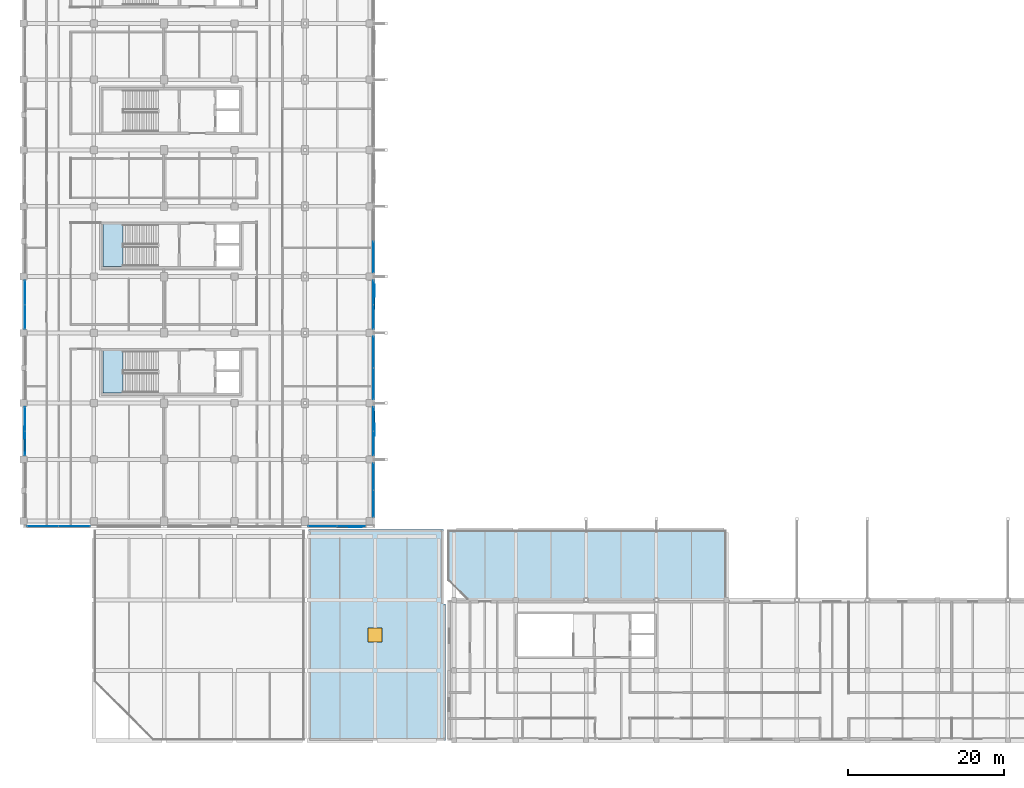
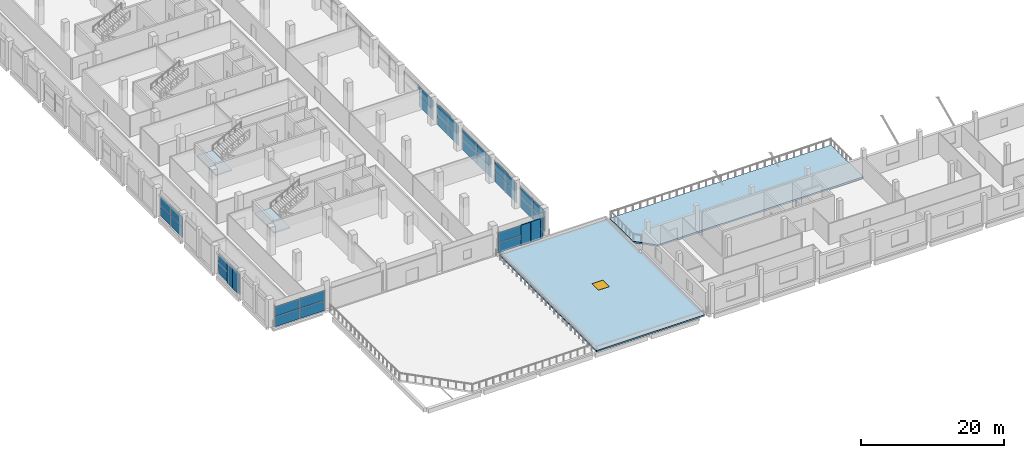
# One storey, part 36 of 82: 42 plates, 4 slabs, 1 window, 1 opening, 11 elements without a shape of their own.
"""IFC4 building model written with IfcOpenShell, lengths in metres."""

from ifc_helpers import new_model, si_unit, direction, frame, origin, origin_2d, place, context, subcontext, project, spatial, polyline, rectangle, outline, extrude, material, layer, layer_set, type_object, element, fill, aggregate, save


model = new_model("IFC4")

# Units and contexts
model_context = context("Model", 3, precision=1e-05, world=origin(), true_north=direction((0.0, 1.0)))
body_context = subcontext(model_context, "Body", "Model", "MODEL_VIEW")
ifc_project = project(units=[si_unit("LENGTHUNIT", "METRE"), si_unit("AREAUNIT", "SQUARE_METRE"), si_unit("VOLUMEUNIT", "CUBIC_METRE"), si_unit("PLANEANGLEUNIT", "RADIAN"), si_unit("MASSUNIT", "GRAM", prefix="KILO"), si_unit("THERMODYNAMICTEMPERATUREUNIT", "KELVIN"), si_unit("POWERUNIT", "WATT")], contexts=[model_context])

# Site, building, storey
site_placement = place(None, origin())
site = spatial("IfcSite", under=ifc_project, at=site_placement, CompositionType="ELEMENT")
building_placement = place(site_placement, origin())
building = spatial("IfcBuilding", under=site, at=building_placement, Name="Sindhuravela Promenade Stadium", CompositionType="ELEMENT")
storey_placement = place(building_placement, frame((0.0, 0.0, 14.39990234375)))
storey = spatial("IfcBuildingStorey", under=building, at=storey_placement, Name="L03", CompositionType="ELEMENT", Elevation=14.39990234375)

# Plates
ifc_material_1 = material(Name="Perforated terracotta celosia brick (15 MPa)", Category="masonry")
ifc_layer_1 = layer(ifc_material_1, 0.090087890625)
ifc_layer_set_1 = layer_set([ifc_layer_1], Name="Perforated terracotta celosia brick (15 MPa)")
plate_type_1 = type_object("IfcPlateType", Name="CL-SCR-01", PredefinedType="USERDEFINED", material=ifc_layer_set_1)
for number, where, z_axis, x_axis, name in (
    (1, (0.1201171875, 48.405029296875, 0.0), (0.0, 0.0, 1.0), (0.0, 1.0, 0.0), "Perforated brick celosia screen WEST L03-28"),
    (2, (44.8798828125, 48.794921875, 0.0), (0.0, 0.0, 1.0), (0.0, -1.0, 0.0), "Perforated brick celosia screen WEST L03-44"),
):
    element("IfcPlate", number, at=place(storey_placement, frame(where, z_axis=z_axis, x_axis=x_axis)), inside=storey, type_object=plate_type_1, Name=name, ObjectType="SCREEN PANEL", PredefinedType="USERDEFINED", context=body_context, shape_type="SweptSolid", body=[
        extrude(rectangle(XDim=1.56005859375, YDim=0.090087890625, at=origin_2d()), origin(), (0.0, 0.0, 1.0), 3.580078125),
    ])
ifc_layer_2 = layer(ifc_material_1, 0.114990234375)
ifc_layer_set_2 = layer_set([ifc_layer_2], Name="Perforated terracotta celosia brick (15 MPa)")
plate_type_2 = type_object("IfcPlateType", Name="CL-SCR-02", PredefinedType="USERDEFINED", material=ifc_layer_set_2)
for number, where, z_axis, x_axis, name in (
    (3, (44.8798828125, 66.594970703125, 0.0), (0.0, 0.0, 1.0), (0.0, -1.0, 0.0), "Perforated brick celosia screen WEST L03-41"),
    (4, (42.4951171875, 36.3701171875, 0.0), (0.0, 0.0, 1.0), (-1.0, 0.0, 0.0), "Perforated brick celosia screen WEST L03-45"),
):
    element("IfcPlate", number, at=place(storey_placement, frame(where, z_axis=z_axis, x_axis=x_axis)), inside=storey, type_object=plate_type_2, Name=name, ObjectType="SCREEN PANEL", PredefinedType="USERDEFINED", context=body_context, shape_type="SweptSolid", body=[
        extrude(rectangle(XDim=1.56005859375, YDim=0.114990234375, at=origin_2d()), origin(), (0.0, 0.0, 1.0), 3.580078125),
    ])
ifc_layer_3 = layer(ifc_material_1, 0.139892578125)
ifc_layer_set_3 = layer_set([ifc_layer_3], Name="Perforated terracotta celosia brick (15 MPa)")
plate_type_3 = type_object("IfcPlateType", Name="CL-SCR-03", PredefinedType="USERDEFINED", material=ifc_layer_set_3)
for number, where, z_axis, x_axis, name in (
    (5, (44.8798828125, 64.9951171875, 0.0), (0.0, 0.0, 1.0), (0.0, -1.0, 0.0), "Perforated brick celosia screen WEST L03-42"),
    (6, (40.89501953125, 36.3701171875, 0.0), (0.0, 0.0, 1.0), (-1.0, 0.0, 0.0), "Perforated brick celosia screen WEST L03-46"),
):
    element("IfcPlate", number, at=place(storey_placement, frame(where, z_axis=z_axis, x_axis=x_axis)), inside=storey, type_object=plate_type_3, Name=name, ObjectType="SCREEN PANEL", PredefinedType="USERDEFINED", context=body_context, shape_type="SweptSolid", body=[
        extrude(rectangle(XDim=1.56005859375, YDim=0.139892578125, at=origin_2d()), origin(), (0.0, 0.0, 1.0), 3.580078125),
    ])
ifc_layer_4 = layer(ifc_material_1, 0.1650390625)
ifc_layer_set_4 = layer_set([ifc_layer_4], Name="Perforated terracotta celosia brick (15 MPa)")
plate_type_4 = type_object("IfcPlateType", Name="CL-SCR-04", PredefinedType="USERDEFINED", material=ifc_layer_set_4)
for number, where, z_axis, x_axis, name in (
    (7, (0.1201171875, 46.804931640625, 0.0), (0.0, 0.0, 1.0), (0.0, 1.0, 0.0), "Perforated brick celosia screen WEST L03-27"),
    (8, (44.8798828125, 50.39501953125, 0.0), (0.0, 0.0, 1.0), (0.0, -1.0, 0.0), "Perforated brick celosia screen WEST L03-43"),
):
    element("IfcPlate", number, at=place(storey_placement, frame(where, z_axis=z_axis, x_axis=x_axis)), inside=storey, type_object=plate_type_4, Name=name, ObjectType="SCREEN PANEL", PredefinedType="USERDEFINED", context=body_context, shape_type="SweptSolid", body=[
        extrude(rectangle(XDim=1.56005859375, YDim=0.1650390625, at=origin_2d()), origin(), (0.0, 0.0, 1.0), 3.580078125),
    ])

# Curtain wall, plates
ifc_material_2 = material(Name="Anodised architectural aluminium 6063-T6", Category="aluminium")
curtain_wall_type_1 = type_object("IfcCurtainWallType", Name="CW-MOD-5", PredefinedType="NOTDEFINED", material=ifc_material_2)
curtain_wall_1_placement = place(storey_placement, origin())
curtain_wall_1 = element("IfcCurtainWall", 9, at=curtain_wall_1_placement, inside=storey, type_object=curtain_wall_type_1, Name="Bronze curtain wall CW-WEST-L03-028", PredefinedType="NOTDEFINED")
ifc_material_3 = material(Name="Tempered laminated low-E glass", Category="glass")
ifc_layer_5 = layer(ifc_material_3, 0.028076171875)
ifc_layer_set_5 = layer_set([ifc_layer_5], Name="Tempered laminated low-E glass")
plate_type_5 = type_object("IfcPlateType", Name="CW-PNL-01", PredefinedType="CURTAIN_PANEL", material=ifc_layer_set_5)
plate_1_placement = place(storey_placement, frame((0.199951171875, 47.050048828125, 0.01513671875), z_axis=(0.0, 0.0, 1.0), x_axis=(0.0, 1.0, 0.0)))
plate_1 = element("IfcPlate", 10, at=plate_1_placement, type_object=plate_type_5, Name="Glazed curtain panel CW-WEST-L03-028-P1.1", PredefinedType="CURTAIN_PANEL", context=body_context, shape_type="SweptSolid", body=[
    extrude(rectangle(XDim=3.0400390625, YDim=0.028076171875, at=origin_2d()), origin(), (0.0, 0.0, 1.0), 1.760009765625),
])
plate_2_placement = place(storey_placement, frame((0.199951171875, 47.050048828125, 1.80517578125), z_axis=(0.0, 0.0, 1.0), x_axis=(0.0, 1.0, 0.0)))
plate_2 = element("IfcPlate", 11, at=plate_2_placement, type_object=plate_type_5, Name="Glazed curtain panel CW-WEST-L03-028-P1.2", PredefinedType="CURTAIN_PANEL", context=body_context, shape_type="SweptSolid", body=[
    extrude(rectangle(XDim=3.0400390625, YDim=0.028076171875, at=origin_2d()), origin(), (0.0, 0.0, 1.0), 1.679931640625),
])
plate_3_placement = place(storey_placement, frame((0.199951171875, 50.14990234375, 0.01513671875), z_axis=(0.0, 0.0, 1.0), x_axis=(0.0, 1.0, 0.0)))
plate_3 = element("IfcPlate", 12, at=plate_3_placement, type_object=plate_type_5, Name="Glazed curtain panel CW-WEST-L03-028-P2.1", PredefinedType="CURTAIN_PANEL", context=body_context, shape_type="SweptSolid", body=[
    extrude(rectangle(XDim=3.0400390625, YDim=0.028076171875, at=origin_2d()), origin(), (0.0, 0.0, 1.0), 1.760009765625),
])
plate_4_placement = place(storey_placement, frame((0.199951171875, 50.14990234375, 1.80517578125), z_axis=(0.0, 0.0, 1.0), x_axis=(0.0, 1.0, 0.0)))
plate_4 = element("IfcPlate", 13, at=plate_4_placement, type_object=plate_type_5, Name="Glazed curtain panel CW-WEST-L03-028-P2.2", PredefinedType="CURTAIN_PANEL", context=body_context, shape_type="SweptSolid", body=[
    extrude(rectangle(XDim=3.0400390625, YDim=0.028076171875, at=origin_2d()), origin(), (0.0, 0.0, 1.0), 1.679931640625),
])
aggregate(curtain_wall_1, [plate_1, plate_2, plate_3, plate_4])

curtain_wall_type_2 = type_object("IfcCurtainWallType", Name="CW-MOD-3", PredefinedType="NOTDEFINED", material=ifc_material_2)
curtain_wall_2_placement = place(storey_placement, origin())
curtain_wall_2 = element("IfcCurtainWall", 14, at=curtain_wall_2_placement, inside=storey, type_object=curtain_wall_type_2, Name="Bronze curtain wall CW-WEST-L03-042", PredefinedType="NOTDEFINED")
plate_5_placement = place(storey_placement, frame((44.800048828125, 66.35009765625, 0.01513671875), z_axis=(0.0, 0.0, 1.0), x_axis=(0.0, -1.0, 0.0)))
plate_5 = element("IfcPlate", 15, at=plate_5_placement, type_object=plate_type_5, Name="Glazed curtain panel CW-WEST-L03-042-P1.1", PredefinedType="CURTAIN_PANEL", context=body_context, shape_type="SweptSolid", body=[
    extrude(rectangle(XDim=3.0400390625, YDim=0.028076171875, at=origin_2d()), origin(), (0.0, 0.0, 1.0), 1.760009765625),
])
plate_6_placement = place(storey_placement, frame((44.800048828125, 66.35009765625, 1.80517578125), z_axis=(0.0, 0.0, 1.0), x_axis=(0.0, -1.0, 0.0)))
plate_6 = element("IfcPlate", 16, at=plate_6_placement, type_object=plate_type_5, Name="Glazed curtain panel CW-WEST-L03-042-P1.2", PredefinedType="CURTAIN_PANEL", context=body_context, shape_type="SweptSolid", body=[
    extrude(rectangle(XDim=3.0400390625, YDim=0.028076171875, at=origin_2d()), origin(), (0.0, 0.0, 1.0), 1.679931640625),
])
plate_7_placement = place(storey_placement, frame((44.800048828125, 63.25, 0.01513671875), z_axis=(0.0, 0.0, 1.0), x_axis=(0.0, -1.0, 0.0)))
plate_7 = element("IfcPlate", 17, at=plate_7_placement, type_object=plate_type_5, Name="Glazed curtain panel CW-WEST-L03-042-P2.1", PredefinedType="CURTAIN_PANEL", context=body_context, shape_type="SweptSolid", body=[
    extrude(rectangle(XDim=3.0400390625, YDim=0.028076171875, at=origin_2d()), origin(), (0.0, 0.0, 1.0), 1.760009765625),
])
plate_8_placement = place(storey_placement, frame((44.800048828125, 63.25, 1.80517578125), z_axis=(0.0, 0.0, 1.0), x_axis=(0.0, -1.0, 0.0)))
plate_8 = element("IfcPlate", 18, at=plate_8_placement, type_object=plate_type_5, Name="Glazed curtain panel CW-WEST-L03-042-P2.2", PredefinedType="CURTAIN_PANEL", context=body_context, shape_type="SweptSolid", body=[
    extrude(rectangle(XDim=3.0400390625, YDim=0.028076171875, at=origin_2d()), origin(), (0.0, 0.0, 1.0), 1.679931640625),
])
aggregate(curtain_wall_2, [plate_5, plate_6, plate_7, plate_8])

curtain_wall_3_placement = place(storey_placement, origin())
curtain_wall_3 = element("IfcCurtainWall", 19, at=curtain_wall_3_placement, inside=storey, type_object=curtain_wall_type_1, Name="Bronze curtain wall CW-WEST-L03-044", PredefinedType="NOTDEFINED")
plate_9_placement = place(storey_placement, frame((44.800048828125, 50.14990234375, 0.01513671875), z_axis=(0.0, 0.0, 1.0), x_axis=(0.0, -1.0, 0.0)))
plate_9 = element("IfcPlate", 20, at=plate_9_placement, type_object=plate_type_5, Name="Glazed curtain panel CW-WEST-L03-044-P1.1", PredefinedType="CURTAIN_PANEL", context=body_context, shape_type="SweptSolid", body=[
    extrude(rectangle(XDim=3.0400390625, YDim=0.028076171875, at=origin_2d()), origin(), (0.0, 0.0, 1.0), 1.760009765625),
])
plate_10_placement = place(storey_placement, frame((44.800048828125, 50.14990234375, 1.80517578125), z_axis=(0.0, 0.0, 1.0), x_axis=(0.0, -1.0, 0.0)))
plate_10 = element("IfcPlate", 21, at=plate_10_placement, type_object=plate_type_5, Name="Glazed curtain panel CW-WEST-L03-044-P1.2", PredefinedType="CURTAIN_PANEL", context=body_context, shape_type="SweptSolid", body=[
    extrude(rectangle(XDim=3.0400390625, YDim=0.028076171875, at=origin_2d()), origin(), (0.0, 0.0, 1.0), 1.679931640625),
])
plate_11_placement = place(storey_placement, frame((44.800048828125, 47.050048828125, 0.01513671875), z_axis=(0.0, 0.0, 1.0), x_axis=(0.0, -1.0, 0.0)))
plate_11 = element("IfcPlate", 22, at=plate_11_placement, type_object=plate_type_5, Name="Glazed curtain panel CW-WEST-L03-044-P2.1", PredefinedType="CURTAIN_PANEL", context=body_context, shape_type="SweptSolid", body=[
    extrude(rectangle(XDim=3.0400390625, YDim=0.028076171875, at=origin_2d()), origin(), (0.0, 0.0, 1.0), 1.760009765625),
])
plate_12_placement = place(storey_placement, frame((44.800048828125, 47.050048828125, 1.80517578125), z_axis=(0.0, 0.0, 1.0), x_axis=(0.0, -1.0, 0.0)))
plate_12 = element("IfcPlate", 23, at=plate_12_placement, type_object=plate_type_5, Name="Glazed curtain panel CW-WEST-L03-044-P2.2", PredefinedType="CURTAIN_PANEL", context=body_context, shape_type="SweptSolid", body=[
    extrude(rectangle(XDim=3.0400390625, YDim=0.028076171875, at=origin_2d()), origin(), (0.0, 0.0, 1.0), 1.679931640625),
])
aggregate(curtain_wall_3, [plate_9, plate_10, plate_11, plate_12])

curtain_wall_type_3 = type_object("IfcCurtainWallType", Name="CW-MOD-7", PredefinedType="NOTDEFINED", material=ifc_material_2)
curtain_wall_4_placement = place(storey_placement, origin())
curtain_wall_4 = element("IfcCurtainWall", 24, at=curtain_wall_4_placement, inside=storey, type_object=curtain_wall_type_3, Name="Bronze curtain wall CW-WEST-L03-046", PredefinedType="NOTDEFINED")
plate_13_placement = place(storey_placement, frame((41.97509765625, 36.449951171875, 0.01513671875), z_axis=(0.0, 0.0, 1.0), x_axis=(-1.0, 0.0, 0.0)))
plate_13 = element("IfcPlate", 25, at=plate_13_placement, type_object=plate_type_5, Name="Glazed curtain panel CW-WEST-L03-046-P1.1", PredefinedType="CURTAIN_PANEL", context=body_context, shape_type="SweptSolid", body=[
    extrude(rectangle(XDim=3.590087890625, YDim=0.028076171875, at=origin_2d()), origin(), (0.0, 0.0, 1.0), 1.760009765625),
])
plate_14_placement = place(storey_placement, frame((41.97509765625, 36.449951171875, 1.80517578125), z_axis=(0.0, 0.0, 1.0), x_axis=(-1.0, 0.0, 0.0)))
plate_14 = element("IfcPlate", 26, at=plate_14_placement, type_object=plate_type_5, Name="Glazed curtain panel CW-WEST-L03-046-P1.2", PredefinedType="CURTAIN_PANEL", context=body_context, shape_type="SweptSolid", body=[
    extrude(rectangle(XDim=3.590087890625, YDim=0.028076171875, at=origin_2d()), origin(), (0.0, 0.0, 1.0), 1.679931640625),
])
plate_15_placement = place(storey_placement, frame((38.324951171875, 36.449951171875, 0.01513671875), z_axis=(0.0, 0.0, 1.0), x_axis=(-1.0, 0.0, 0.0)))
plate_15 = element("IfcPlate", 27, at=plate_15_placement, type_object=plate_type_5, Name="Glazed curtain panel CW-WEST-L03-046-P2.1", PredefinedType="CURTAIN_PANEL", context=body_context, shape_type="SweptSolid", body=[
    extrude(rectangle(XDim=3.590087890625, YDim=0.028076171875, at=origin_2d()), origin(), (0.0, 0.0, 1.0), 1.760009765625),
])
plate_16_placement = place(storey_placement, frame((38.324951171875, 36.449951171875, 1.80517578125), z_axis=(0.0, 0.0, 1.0), x_axis=(-1.0, 0.0, 0.0)))
plate_16 = element("IfcPlate", 28, at=plate_16_placement, type_object=plate_type_5, Name="Glazed curtain panel CW-WEST-L03-046-P2.2", PredefinedType="CURTAIN_PANEL", context=body_context, shape_type="SweptSolid", body=[
    extrude(rectangle(XDim=3.590087890625, YDim=0.028076171875, at=origin_2d()), origin(), (0.0, 0.0, 1.0), 1.679931640625),
])
aggregate(curtain_wall_4, [plate_13, plate_14, plate_15, plate_16])

curtain_wall_type_4 = type_object("IfcCurtainWallType", Name="CW-MOD-6", PredefinedType="NOTDEFINED", material=ifc_material_2)
curtain_wall_5_placement = place(storey_placement, origin())
curtain_wall_5 = element("IfcCurtainWall", 29, at=curtain_wall_5_placement, inside=storey, type_object=curtain_wall_type_4, Name="Bronze curtain wall CW-WEST-L03-029", PredefinedType="NOTDEFINED")
ifc_layer_6 = layer(ifc_material_3, 0.0400390625)
ifc_layer_set_6 = layer_set([ifc_layer_6], Name="Tempered laminated low-E glass")
plate_type_6 = type_object("IfcPlateType", Name="CW-PNL-02", PredefinedType="CURTAIN_PANEL", material=ifc_layer_set_6)
plate_17_placement = place(storey_placement, frame((0.199951171875, 63.25, 0.01513671875), z_axis=(0.0, 0.0, 1.0), x_axis=(0.0, 1.0, 0.0)))
plate_17 = element("IfcPlate", 30, at=plate_17_placement, type_object=plate_type_6, Name="Glazed curtain panel CW-WEST-L03-029-P1.1", PredefinedType="CURTAIN_PANEL", context=body_context, shape_type="SweptSolid", body=[
    extrude(rectangle(XDim=3.0400390625, YDim=0.0400390625, at=origin_2d()), origin(), (0.0, 0.0, 1.0), 1.760009765625),
])
plate_18_placement = place(storey_placement, frame((0.199951171875, 63.25, 1.80517578125), z_axis=(0.0, 0.0, 1.0), x_axis=(0.0, 1.0, 0.0)))
plate_18 = element("IfcPlate", 31, at=plate_18_placement, type_object=plate_type_6, Name="Glazed curtain panel CW-WEST-L03-029-P1.2", PredefinedType="CURTAIN_PANEL", context=body_context, shape_type="SweptSolid", body=[
    extrude(rectangle(XDim=3.0400390625, YDim=0.0400390625, at=origin_2d()), origin(), (0.0, 0.0, 1.0), 1.679931640625),
])
plate_19_placement = place(storey_placement, frame((0.199951171875, 66.35009765625, 0.01513671875), z_axis=(0.0, 0.0, 1.0), x_axis=(0.0, 1.0, 0.0)))
plate_19 = element("IfcPlate", 32, at=plate_19_placement, type_object=plate_type_6, Name="Glazed curtain panel CW-WEST-L03-029-P2.1", PredefinedType="CURTAIN_PANEL", context=body_context, shape_type="SweptSolid", body=[
    extrude(rectangle(XDim=3.0400390625, YDim=0.0400390625, at=origin_2d()), origin(), (0.0, 0.0, 1.0), 1.760009765625),
])
plate_20_placement = place(storey_placement, frame((0.199951171875, 66.35009765625, 1.80517578125), z_axis=(0.0, 0.0, 1.0), x_axis=(0.0, 1.0, 0.0)))
plate_20 = element("IfcPlate", 33, at=plate_20_placement, type_object=plate_type_6, Name="Glazed curtain panel CW-WEST-L03-029-P2.2", PredefinedType="CURTAIN_PANEL", context=body_context, shape_type="SweptSolid", body=[
    extrude(rectangle(XDim=3.0400390625, YDim=0.0400390625, at=origin_2d()), origin(), (0.0, 0.0, 1.0), 1.679931640625),
])
aggregate(curtain_wall_5, [plate_17, plate_18, plate_19, plate_20])

curtain_wall_type_5 = type_object("IfcCurtainWallType", Name="CW-MOD-2", PredefinedType="NOTDEFINED", material=ifc_material_2)
curtain_wall_6_placement = place(storey_placement, origin())
curtain_wall_6 = element("IfcCurtainWall", 34, at=curtain_wall_6_placement, inside=storey, type_object=curtain_wall_type_5, Name="Bronze curtain wall CW-WEST-L03-041", PredefinedType="NOTDEFINED")
plate_21_placement = place(storey_placement, frame((44.800048828125, 70.89990234375, 0.01513671875), z_axis=(0.0, 0.0, 1.0), x_axis=(0.0, -1.0, 0.0)))
plate_21 = element("IfcPlate", 35, at=plate_21_placement, type_object=plate_type_6, Name="Glazed curtain panel CW-WEST-L03-041-P2.1", PredefinedType="CURTAIN_PANEL", context=body_context, shape_type="SweptSolid", body=[
    extrude(rectangle(XDim=3.93994140625, YDim=0.0400390625, at=origin_2d()), origin(), (0.0, 0.0, 1.0), 1.760009765625),
])
plate_22_placement = place(storey_placement, frame((44.800048828125, 70.89990234375, 1.80517578125), z_axis=(0.0, 0.0, 1.0), x_axis=(0.0, -1.0, 0.0)))
plate_22 = element("IfcPlate", 36, at=plate_22_placement, type_object=plate_type_6, Name="Glazed curtain panel CW-WEST-L03-041-P2.2", PredefinedType="CURTAIN_PANEL", context=body_context, shape_type="SweptSolid", body=[
    extrude(rectangle(XDim=3.93994140625, YDim=0.0400390625, at=origin_2d()), origin(), (0.0, 0.0, 1.0), 1.679931640625),
])
aggregate(curtain_wall_6, [plate_21, plate_22])

curtain_wall_type_6 = type_object("IfcCurtainWallType", Name="CW-MOD-4", PredefinedType="NOTDEFINED", material=ifc_material_2)
curtain_wall_7_placement = place(storey_placement, origin())
curtain_wall_7 = element("IfcCurtainWall", 37, at=curtain_wall_7_placement, inside=storey, type_object=curtain_wall_type_6, Name="Bronze curtain wall CW-WEST-L03-043", PredefinedType="NOTDEFINED")
plate_23_placement = place(storey_placement, frame((44.800048828125, 58.699951171875, 0.01513671875), z_axis=(0.0, 0.0, 1.0), x_axis=(0.0, -1.0, 0.0)))
plate_23 = element("IfcPlate", 38, at=plate_23_placement, type_object=plate_type_6, Name="Glazed curtain panel CW-WEST-L03-043-P1.1", PredefinedType="CURTAIN_PANEL", context=body_context, shape_type="SweptSolid", body=[
    extrude(rectangle(XDim=3.93994140625, YDim=0.0400390625, at=origin_2d()), origin(), (0.0, 0.0, 1.0), 1.760009765625),
])
plate_24_placement = place(storey_placement, frame((44.800048828125, 58.699951171875, 1.80517578125), z_axis=(0.0, 0.0, 1.0), x_axis=(0.0, -1.0, 0.0)))
plate_24 = element("IfcPlate", 39, at=plate_24_placement, type_object=plate_type_6, Name="Glazed curtain panel CW-WEST-L03-043-P1.2", PredefinedType="CURTAIN_PANEL", context=body_context, shape_type="SweptSolid", body=[
    extrude(rectangle(XDim=3.93994140625, YDim=0.0400390625, at=origin_2d()), origin(), (0.0, 0.0, 1.0), 1.679931640625),
])
plate_25_placement = place(storey_placement, frame((44.800048828125, 54.699951171875, 0.01513671875), z_axis=(0.0, 0.0, 1.0), x_axis=(0.0, -1.0, 0.0)))
plate_25 = element("IfcPlate", 40, at=plate_25_placement, type_object=plate_type_6, Name="Glazed curtain panel CW-WEST-L03-043-P2.1", PredefinedType="CURTAIN_PANEL", context=body_context, shape_type="SweptSolid", body=[
    extrude(rectangle(XDim=3.93994140625, YDim=0.0400390625, at=origin_2d()), origin(), (0.0, 0.0, 1.0), 1.760009765625),
])
plate_26_placement = place(storey_placement, frame((44.800048828125, 54.699951171875, 1.80517578125), z_axis=(0.0, 0.0, 1.0), x_axis=(0.0, -1.0, 0.0)))
plate_26 = element("IfcPlate", 41, at=plate_26_placement, type_object=plate_type_6, Name="Glazed curtain panel CW-WEST-L03-043-P2.2", PredefinedType="CURTAIN_PANEL", context=body_context, shape_type="SweptSolid", body=[
    extrude(rectangle(XDim=3.93994140625, YDim=0.0400390625, at=origin_2d()), origin(), (0.0, 0.0, 1.0), 1.679931640625),
])
aggregate(curtain_wall_7, [plate_23, plate_24, plate_25, plate_26])

curtain_wall_8_placement = place(storey_placement, origin())
curtain_wall_8 = element("IfcCurtainWall", 42, at=curtain_wall_8_placement, inside=storey, type_object=curtain_wall_type_4, Name="Bronze curtain wall CW-WEST-L03-045", PredefinedType="NOTDEFINED")
plate_27_placement = place(storey_placement, frame((44.800048828125, 42.77490234375, 0.01513671875), z_axis=(0.0, 0.0, 1.0), x_axis=(0.0, -1.0, 0.0)))
plate_27 = element("IfcPlate", 43, at=plate_27_placement, type_object=plate_type_6, Name="Glazed curtain panel CW-WEST-L03-045-P1.1", PredefinedType="CURTAIN_PANEL", context=body_context, shape_type="SweptSolid", body=[
    extrude(rectangle(XDim=3.389892578125, YDim=0.0400390625, at=origin_2d()), origin(), (0.0, 0.0, 1.0), 1.760009765625),
])
plate_28_placement = place(storey_placement, frame((44.800048828125, 42.77490234375, 1.80517578125), z_axis=(0.0, 0.0, 1.0), x_axis=(0.0, -1.0, 0.0)))
plate_28 = element("IfcPlate", 44, at=plate_28_placement, type_object=plate_type_6, Name="Glazed curtain panel CW-WEST-L03-045-P1.2", PredefinedType="CURTAIN_PANEL", context=body_context, shape_type="SweptSolid", body=[
    extrude(rectangle(XDim=3.389892578125, YDim=0.0400390625, at=origin_2d()), origin(), (0.0, 0.0, 1.0), 1.679931640625),
])
plate_29_placement = place(storey_placement, frame((44.800048828125, 39.324951171875, 0.01513671875), z_axis=(0.0, 0.0, 1.0), x_axis=(0.0, -1.0, 0.0)))
plate_29 = element("IfcPlate", 45, at=plate_29_placement, type_object=plate_type_6, Name="Glazed curtain panel CW-WEST-L03-045-P2.1", PredefinedType="CURTAIN_PANEL", context=body_context, shape_type="SweptSolid", body=[
    extrude(rectangle(XDim=3.389892578125, YDim=0.0400390625, at=origin_2d()), origin(), (0.0, 0.0, 1.0), 1.760009765625),
])
plate_30_placement = place(storey_placement, frame((44.800048828125, 39.324951171875, 1.80517578125), z_axis=(0.0, 0.0, 1.0), x_axis=(0.0, -1.0, 0.0)))
plate_30 = element("IfcPlate", 46, at=plate_30_placement, type_object=plate_type_6, Name="Glazed curtain panel CW-WEST-L03-045-P2.2", PredefinedType="CURTAIN_PANEL", context=body_context, shape_type="SweptSolid", body=[
    extrude(rectangle(XDim=3.389892578125, YDim=0.0400390625, at=origin_2d()), origin(), (0.0, 0.0, 1.0), 1.679931640625),
])
aggregate(curtain_wall_8, [plate_27, plate_28, plate_29, plate_30])

curtain_wall_type_7 = type_object("IfcCurtainWallType", Name="CW-MOD-8", PredefinedType="NOTDEFINED", material=ifc_material_2)
curtain_wall_9_placement = place(storey_placement, origin())
curtain_wall_9 = element("IfcCurtainWall", 47, at=curtain_wall_9_placement, inside=storey, type_object=curtain_wall_type_7, Name="Bronze curtain wall CW-WEST-L03-047", PredefinedType="NOTDEFINED")
plate_31_placement = place(storey_placement, frame((6.5, 36.449951171875, 0.01513671875), z_axis=(0.0, 0.0, 1.0), x_axis=(-1.0, 0.0, 0.0)))
plate_31 = element("IfcPlate", 48, at=plate_31_placement, type_object=plate_type_6, Name="Glazed curtain panel CW-WEST-L03-047-P1.1", PredefinedType="CURTAIN_PANEL", context=body_context, shape_type="SweptSolid", body=[
    extrude(rectangle(XDim=3.93994140625, YDim=0.0400390625, at=origin_2d()), origin(), (0.0, 0.0, 1.0), 1.760009765625),
])
plate_32_placement = place(storey_placement, frame((6.5, 36.449951171875, 1.80517578125), z_axis=(0.0, 0.0, 1.0), x_axis=(-1.0, 0.0, 0.0)))
plate_32 = element("IfcPlate", 49, at=plate_32_placement, type_object=plate_type_6, Name="Glazed curtain panel CW-WEST-L03-047-P1.2", PredefinedType="CURTAIN_PANEL", context=body_context, shape_type="SweptSolid", body=[
    extrude(rectangle(XDim=3.93994140625, YDim=0.0400390625, at=origin_2d()), origin(), (0.0, 0.0, 1.0), 1.679931640625),
])
plate_33_placement = place(storey_placement, frame((2.5, 36.449951171875, 0.01513671875), z_axis=(0.0, 0.0, 1.0), x_axis=(-1.0, 0.0, 0.0)))
plate_33 = element("IfcPlate", 50, at=plate_33_placement, type_object=plate_type_6, Name="Glazed curtain panel CW-WEST-L03-047-P2.1", PredefinedType="CURTAIN_PANEL", context=body_context, shape_type="SweptSolid", body=[
    extrude(rectangle(XDim=3.93994140625, YDim=0.0400390625, at=origin_2d()), origin(), (0.0, 0.0, 1.0), 1.760009765625),
])
plate_34_placement = place(storey_placement, frame((2.5, 36.449951171875, 1.80517578125), z_axis=(0.0, 0.0, 1.0), x_axis=(-1.0, 0.0, 0.0)))
plate_34 = element("IfcPlate", 51, at=plate_34_placement, type_object=plate_type_6, Name="Glazed curtain panel CW-WEST-L03-047-P2.2", PredefinedType="CURTAIN_PANEL", context=body_context, shape_type="SweptSolid", body=[
    extrude(rectangle(XDim=3.93994140625, YDim=0.0400390625, at=origin_2d()), origin(), (0.0, 0.0, 1.0), 1.679931640625),
])
aggregate(curtain_wall_9, [plate_31, plate_32, plate_33, plate_34])

# Stair, slab
ifc_material_4 = material(Name="Concrete M40", Category="concrete")
stair_type = type_object("IfcStairType", Name="ST-CORE-DOGLEG", PredefinedType="HALF_TURN_STAIR", material=ifc_material_4)
stair_1_placement = place(storey_placement, origin())
stair_1 = element("IfcStair", 52, at=stair_1_placement, inside=storey, type_object=stair_type, Name="Protected escape stair ST01 (L03)", PredefinedType="HALF_TURN_STAIR")
ifc_layer_7 = layer(ifc_material_4, 0.219970703125)
ifc_layer_set_7 = layer_set([ifc_layer_7], Name="Concrete M40")
slab_type_1 = type_object("IfcSlabType", Name="SL-LND-220", PredefinedType="LANDING", material=ifc_layer_set_7)
slab_1_placement = place(storey_placement, frame((0.0, 0.0, 2.18017578125)))
slab_1 = element("IfcSlab", 53, at=slab_1_placement, type_object=slab_type_1, Name="Stair ST01 half-landing (L03)", PredefinedType="LANDING", context=body_context, shape_type="SweptSolid", body=[
    extrude(outline(polyline([(10.179931640625, 53.47998046875), (12.751953125, 53.47998046875), (12.751953125, 58.919921875), (10.179931640625, 58.919921875), (10.179931640625, 53.47998046875)])), origin(), (0.0, 0.0, 1.0), 0.219970703125),
])
aggregate(stair_1, [slab_1])

stair_2_placement = place(storey_placement, origin())
stair_2 = element("IfcStair", 54, at=stair_2_placement, inside=storey, type_object=stair_type, Name="Protected escape stair ST02 (L03)", PredefinedType="HALF_TURN_STAIR")
slab_2_placement = place(storey_placement, frame((0.0, 0.0, 2.18017578125)))
slab_2 = element("IfcSlab", 55, at=slab_2_placement, type_object=slab_type_1, Name="Stair ST02 half-landing (L03)", PredefinedType="LANDING", context=body_context, shape_type="SweptSolid", body=[
    extrude(outline(polyline([(10.179931640625, 69.679931640625), (12.751953125, 69.679931640625), (12.751953125, 75.1201171875), (10.179931640625, 75.1201171875), (10.179931640625, 69.679931640625)])), origin(), (0.0, 0.0, 1.0), 0.219970703125),
])
aggregate(stair_2, [slab_2])

# Slab, opening, window
ifc_layer_8 = layer(ifc_material_4, 0.2451171875)
ifc_layer_set_8 = layer_set([ifc_layer_8], Name="Concrete M40")
slab_type_2 = type_object("IfcSlabType", Name="SL-ROF-210", PredefinedType="ROOF", material=ifc_layer_set_8)
slab_3_placement = place(storey_placement, frame((0.0, 0.0, -0.244873046875)))
slab_3 = element("IfcSlab", 56, at=slab_3_placement, inside=storey, type_object=slab_type_2, Name="Main roof slab Pavilion SW L03", PredefinedType="ROOF", context=body_context, shape_type="SweptSolid", body=[
    extrude(outline(polyline([(36.5, 9.0), (36.5, 36.0), (53.75, 36.0), (53.75, 26.5), (54.0, 26.5), (54.0, 9.0), (36.5, 9.0)])), origin(), (0.0, 0.0, 1.0), 0.244873046875),
])
opening_placement = place(slab_3_placement, frame((45.0, 22.5, -0.010009765625)))
opening = element("IfcOpeningElement", 57, at=opening_placement, cuts=slab_3, Name="Opening SK01", PredefinedType="OPENING", context=body_context, shape_type="SweptSolid", body=[
    extrude(rectangle(XDim=1.800048828125, YDim=1.800048828125, at=origin_2d()), origin(), (0.0, 0.0, 1.0), 0.264892578125),
])
window_type = type_object("IfcWindowType", Name="WN-SKY-1800x1800", PartitioningType="SINGLE_PANEL", PredefinedType="SKYLIGHT", material=ifc_material_3)
window_placement = place(slab_3_placement, frame((45.0, 22.5, 0.19482421875)))
window = element("IfcWindow", 58, at=window_placement, inside=storey, type_object=window_type, Name="Concourse roof skylight SK01-09", OverallHeight=1.800048828125, OverallWidth=1.800048828125, PartitioningType="SINGLE_PANEL", PredefinedType="SKYLIGHT", context=body_context, shape_type="SweptSolid", body=[
    extrude(rectangle(XDim=1.800048828125, YDim=1.800048828125, at=origin_2d()), origin(), (0.0, 0.0, 1.0), 0.050048828125),
])
fill(opening, window)

# Slab
ifc_layer_9 = layer(ifc_material_4, 0.27001953125)
ifc_layer_set_9 = layer_set([ifc_layer_9], Name="Concrete M40")
slab_type_3 = type_object("IfcSlabType", Name="SL-TER-270", PredefinedType="FLOOR", material=ifc_layer_set_9)
slab_4_placement = place(storey_placement, frame((0.0, 0.0, -0.27001953125)))
element("IfcSlab", 59, at=slab_4_placement, inside=storey, type_object=slab_type_3, Name="South Stand Planted Roof Garden", PredefinedType="FLOOR", context=body_context, shape_type="SweptSolid", body=[
    extrude(outline(polyline([(56.77001953125, 27.0), (90.0, 27.0), (90.0, 36.0), (54.25, 36.0), (54.25, 29.52001953125), (56.77001953125, 27.0)])), origin(), (0.0, 0.0, 1.0), 0.27001953125),
])

save(model, "model.ifc")
